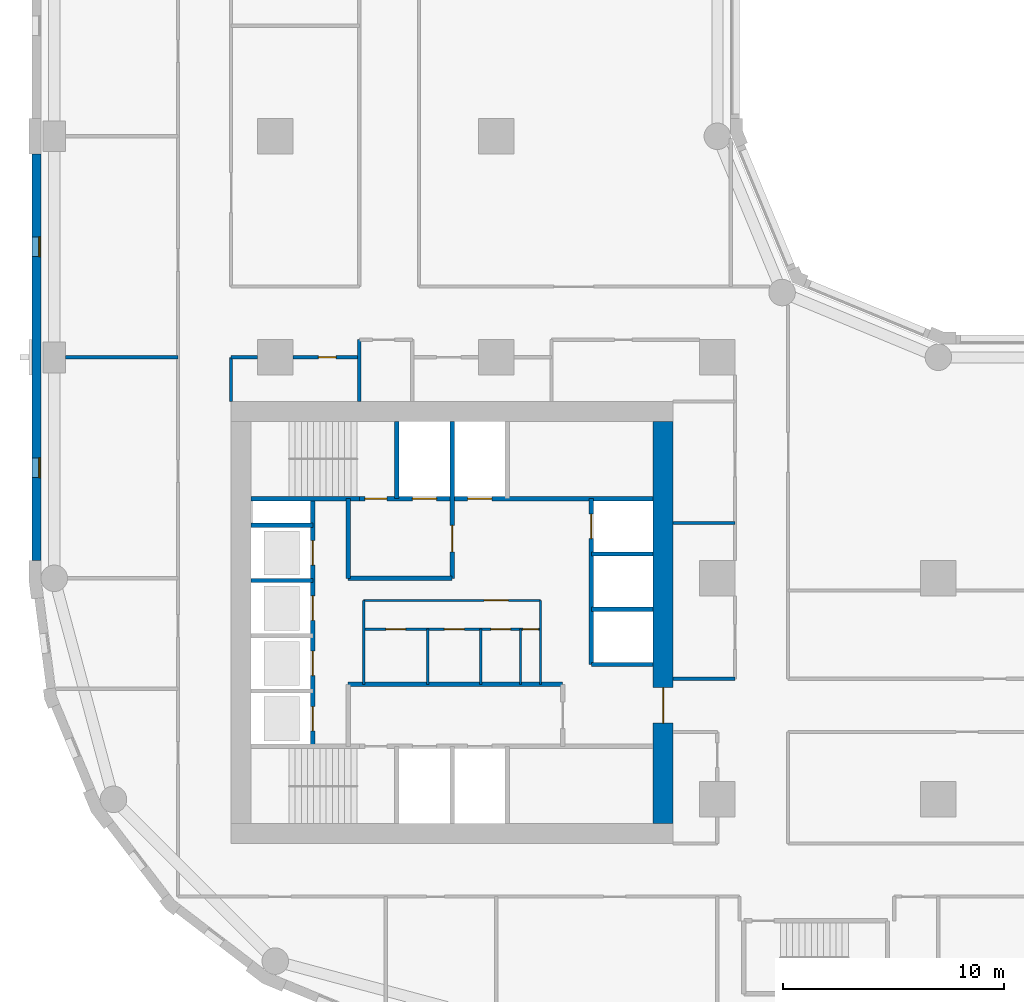
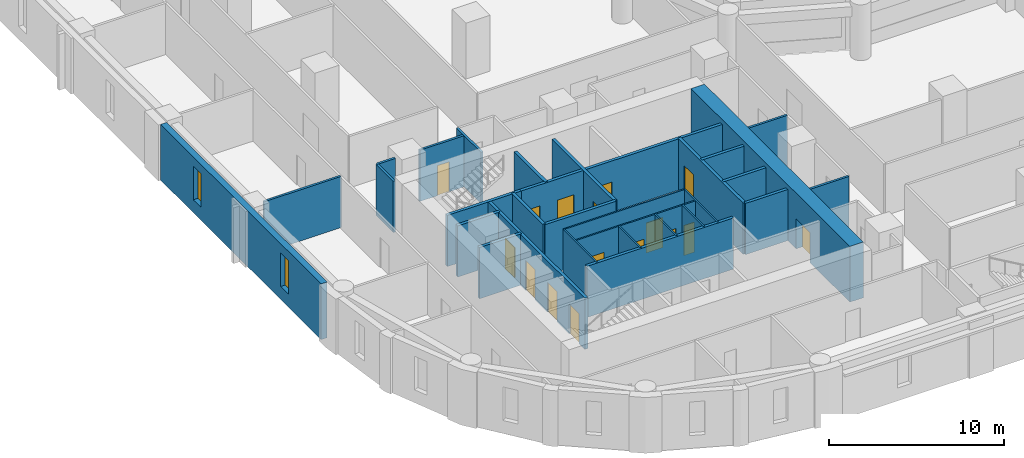
# One storey, part 3 of 11: 30 walls, 16 doors, 2 windows, 18 openings.
"""IFC4 building model written with IfcOpenShell, lengths in metres."""

import ifcopenshell
import ifcopenshell.guid

model = None  # the IFC model being written
_history = None  # IfcOwnerHistory: only IFC2X3 demands one
_inside = {}  # id of a spatial element -> (the spatial element, [elements in it])
_under = {}  # id of a project, library or spatial element -> (it, [spatial elements below it])
_declared = {}  # id of a project -> (the project, [libraries it declares])
_typed = {}  # id of a type object -> (the type object, [elements of that type])
_made_of = {}  # id of a material, layer set ... -> (it, [elements and type objects made of it])


def new_model(schema):
    """Start an empty IFC model of exactly this schema.

    Asked for "IFC4X3", IfcOpenShell would pick the latest addendum, in which some entities
    have other attributes; the version numbers below select the first issue.
    IFC2X3 requires an IfcOwnerHistory on every rooted entity: one is made here for all.
    """
    global model, _history
    if schema == "IFC4X3":
        model = ifcopenshell.file(schema_version=(4, 3, 0, 0))
    else:
        model = ifcopenshell.file(schema=schema)
    _inside.clear()
    _under.clear()
    _declared.clear()
    _typed.clear()
    _made_of.clear()
    _history = None
    if model.schema == "IFC2X3":
        org = make("IfcOrganization", Name="unknown")
        user = make(
            "IfcPersonAndOrganization",
            ThePerson=make("IfcPerson", FamilyName="unknown"),
            TheOrganization=org,
        )
        app = make(
            "IfcApplication",
            ApplicationDeveloper=org,
            Version="unknown",
            ApplicationFullName="unknown",
            ApplicationIdentifier="unknown",
        )
        _history = make(
            "IfcOwnerHistory",
            OwningUser=user,
            OwningApplication=app,
            ChangeAction="ADDED",
            CreationDate=0,
        )
    return model


def make(cls, **values):
    """One entity of the class cls with the attributes given. An attribute that is None is left unset."""
    return model.create_entity(
        cls, **{name: value for name, value in values.items() if value is not None}
    )


def rooted(cls, **values):
    """An entity with a GlobalId (a new one), such as an element, a storey or a relation."""
    return make(cls, GlobalId=ifcopenshell.guid.new(), OwnerHistory=_history, **values)


def si_unit(unit_type, name, prefix=None):
    """IfcSIUnit, for example si_unit("LENGTHUNIT", "METRE", prefix="MILLI")."""
    return make("IfcSIUnit", UnitType=unit_type, Prefix=prefix, Name=name)


def assignment(units):
    """IfcUnitAssignment: the units of a project."""
    return None if units is None else make("IfcUnitAssignment", Units=units)


def point(xyz):
    """IfcCartesianPoint."""
    return None if xyz is None else make("IfcCartesianPoint", Coordinates=xyz)


def direction(xyz):
    """IfcDirection."""
    return None if xyz is None else make("IfcDirection", DirectionRatios=xyz)


def frame(location, z_axis=None, x_axis=None):
    """IfcAxis2Placement3D, a coordinate frame: its origin and axes. An axis left out is left unset."""
    return make(
        "IfcAxis2Placement3D",
        Location=point(location),
        Axis=direction(z_axis),
        RefDirection=direction(x_axis),
    )


def frame_2d(location, x_axis=None):
    """IfcAxis2Placement2D, a coordinate frame in the plane: its origin and x axis."""
    return make(
        "IfcAxis2Placement2D", Location=point(location), RefDirection=direction(x_axis)
    )


def origin():
    """The frame at (0, 0, 0) with its axes left unset."""
    return frame((0.0, 0.0, 0.0))


def place(relative_to, where):
    """IfcLocalPlacement: puts the frame where relative to a parent placement (None: the world)."""
    return make(
        "IfcLocalPlacement", PlacementRelTo=relative_to, RelativePlacement=where
    )


def context(
    kind, dimensions, precision=None, world=None, true_north=None, identifier=None
):
    """IfcGeometricRepresentationContext, for example the 3D "Model" context."""
    return make(
        "IfcGeometricRepresentationContext",
        ContextIdentifier=identifier,
        ContextType=kind,
        CoordinateSpaceDimension=dimensions,
        Precision=precision,
        WorldCoordinateSystem=world,
        TrueNorth=true_north,
    )


def subcontext(parent, identifier, kind, view, scale=None):
    """IfcGeometricRepresentationSubContext, for example "Body" below "Model"."""
    return make(
        "IfcGeometricRepresentationSubContext",
        ContextIdentifier=identifier,
        ContextType=kind,
        ParentContext=parent,
        TargetScale=scale,
        TargetView=view,
    )


def project(units=None, contexts=None):
    """IfcProject with its units and contexts."""
    return rooted(
        "IfcProject",
        Name="project",
        RepresentationContexts=contexts,
        UnitsInContext=assignment(units),
    )


def spatial(cls, under=None, at=None, **own):
    """A site, building, storey or space (cls), placed at a placement, below another one or the project."""
    s = rooted(cls, ObjectPlacement=at, **own)
    if under is not None:
        _under.setdefault(under.id(), (under, []))[1].append(s)
    return s


def profile(cls, at=None, kind="AREA", **sizes):
    """A parametric profile (cls). Its sizes go by their IFC names, for example OverallWidth=200.0."""
    return make(cls, ProfileType=kind, Position=at, **sizes)


def rectangle(**sizes):
    """IfcRectangleProfileDef."""
    return profile("IfcRectangleProfileDef", **sizes)


def extrude(swept, where, along, depth):
    """IfcExtrudedAreaSolid: the profile swept, set in the frame where, extruded along a direction by depth."""
    return make(
        "IfcExtrudedAreaSolid",
        SweptArea=swept,
        Position=where,
        ExtrudedDirection=direction(along),
        Depth=depth,
    )


def shape(context_of_items, identifier, shape_type, items):
    """IfcShapeRepresentation: the items that make up one representation, for example the "Body"."""
    return make(
        "IfcShapeRepresentation",
        ContextOfItems=context_of_items,
        RepresentationIdentifier=identifier,
        RepresentationType=shape_type,
        Items=items,
    )


def material(Name=None, Category=None):
    """IfcMaterial."""
    return make("IfcMaterial", Name=Name, Category=Category)


def layer(
    of_material, thickness, ventilated=None, Name=None, Category=None, Priority=None
):
    """IfcMaterialLayer: one layer of a wall or slab, of a material (None: an air gap)."""
    return make(
        "IfcMaterialLayer",
        Material=of_material,
        LayerThickness=thickness,
        IsVentilated=ventilated,
        Name=Name,
        Category=Category,
        Priority=Priority,
    )


def layer_set(layers, Name=None):
    """IfcMaterialLayerSet."""
    return make("IfcMaterialLayerSet", MaterialLayers=layers, LayerSetName=Name)


def made_of(thing, what):
    """Note that an element or type object is made of a material, layer set ...; save() writes the relation."""
    if what is not None:
        _made_of.setdefault(what.id(), (what, []))[1].append(thing)
    return thing


def type_object(cls, material=None, **own):
    """A type object (cls), such as IfcWallType, which elements share."""
    return made_of(rooted(cls, **own), material)


def element(
    cls,
    number,
    at=None,
    inside=None,
    cuts=None,
    type_object=None,
    material=None,
    context=None,
    identifier="Body",
    shape_type=None,
    held_by="IfcProductDefinitionShape",
    body=None,
    shapes=None,
    **own,
):
    """One element of the class cls, such as IfcWall. Its Tag is "e" and its number.

    at: its placement. inside: the storey or other place that contains it. cuts: it is an
    opening in that element (IfcRelVoidsElement). A single representation is given by context,
    identifier, shape_type and body (its items); several are given by shapes. held_by: the class
    of the entity that holds the representations. save() writes the other relations.
    """
    e = rooted(cls, Tag="e%d" % number, ObjectPlacement=at, **own)
    if body is not None:
        shapes = [shape(context, identifier, shape_type, body)]
    if shapes is not None:
        e.Representation = make(held_by, Representations=shapes)
    if inside is not None:
        _inside.setdefault(inside.id(), (inside, []))[1].append(e)
    if cuts is not None:
        rooted(
            "IfcRelVoidsElement", RelatingBuildingElement=cuts, RelatedOpeningElement=e
        )
    if type_object is not None:
        _typed.setdefault(type_object.id(), (type_object, []))[1].append(e)
    return made_of(e, material)


def fill(opening, filler):
    """IfcRelFillsElement: the door or window that sits in an opening."""
    return rooted(
        "IfcRelFillsElement",
        RelatingOpeningElement=opening,
        RelatedBuildingElement=filler,
    )


def aggregate(whole, parts):
    """IfcRelAggregates: a whole, such as a stair, and the parts it consists of."""
    return rooted("IfcRelAggregates", RelatingObject=whole, RelatedObjects=parts)


def save(model, path):
    """Write the relations noted so far, then the file.

    IfcRelAggregates (storeys below a building ...), IfcRelContainedInSpatialStructure (elements
    in a storey), IfcRelDefinesByType, IfcRelAssociatesMaterial and IfcRelDeclares: one each for
    every whole, place, type object, material and project.
    """
    for whole, parts in _under.values():
        aggregate(whole, parts)
    for where, things in _inside.values():
        rooted(
            "IfcRelContainedInSpatialStructure",
            RelatedElements=things,
            RelatingStructure=where,
        )
    for kind, things in _typed.values():
        rooted("IfcRelDefinesByType", RelatedObjects=things, RelatingType=kind)
    for what, things in _made_of.values():
        rooted("IfcRelAssociatesMaterial", RelatedObjects=things, RelatingMaterial=what)
    for by, libraries in _declared.values():
        rooted("IfcRelDeclares", RelatingContext=by, RelatedDefinitions=libraries)
    model.write(path)


model = new_model("IFC4")

# Units and contexts
model_context = context("Model", 3, precision=1e-05, world=origin(), true_north=direction((0.0, 1.0)))
body_context = subcontext(model_context, "Body", "Model", "MODEL_VIEW")
ifc_project = project(units=[si_unit("LENGTHUNIT", "METRE"), si_unit("AREAUNIT", "SQUARE_METRE"), si_unit("VOLUMEUNIT", "CUBIC_METRE"), si_unit("PLANEANGLEUNIT", "RADIAN"), si_unit("MASSUNIT", "GRAM", prefix="KILO")], contexts=[model_context])

# Site, building, storey
site_placement = place(None, origin())
site = spatial("IfcSite", under=ifc_project, at=site_placement, CompositionType="ELEMENT")
building_placement = place(site_placement, origin())
building = spatial("IfcBuilding", under=site, at=building_placement, Name="Qaws Garden Tower", CompositionType="ELEMENT")
storey_placement = place(building_placement, frame((0.0, 0.0, 27.60009765625)))
storey = spatial("IfcBuildingStorey", under=building, at=storey_placement, Name="L06", CompositionType="ELEMENT", Elevation=27.60009765625)

# Wall, openings, windows
ifc_material_1 = material(Name="Clay facing brick masonry", Category="masonry")
ifc_layer_1 = layer(ifc_material_1, 0.39990234375)
ifc_layer_set_1 = layer_set([ifc_layer_1], Name="Clay facing brick masonry")
wall_type_1 = type_object("IfcWallType", Name="Brick infill wall 400", PredefinedType="SOLIDWALL", material=ifc_layer_set_1)
wall_1_placement = place(storey_placement, frame((-0.800048828125, 39.199951171875, 0.0), z_axis=(0.0, 0.0, 1.0), x_axis=(0.0, -1.0, 0.0)))
wall_1 = element("IfcWall", 1, at=wall_1_placement, inside=storey, type_object=wall_type_1, Name="E-L06-infill-25", PredefinedType="SOLIDWALL", context=body_context, shape_type="SweptSolid", body=[
    extrude(rectangle(XDim=18.39990234375, YDim=0.39990234375, at=frame_2d((9.199951171875, 0.0))), origin(), (0.0, 0.0, 1.0), 3.89990234375),
])
opening_1_placement = place(wall_1_placement, frame((3.75, 0.0, 0.89990234375)))
opening_1 = element("IfcOpeningElement", 2, at=opening_1_placement, cuts=wall_1, Name="Opening W09", PredefinedType="OPENING", context=body_context, shape_type="SweptSolid", body=[
    extrude(rectangle(XDim=0.89990234375, YDim=2.35009765625, at=frame_2d((0.449951171875, 1.175048828125))), frame((0.0, 0.2099609375, 0.0), z_axis=(0.0, -1.0, 0.0), x_axis=(1.0, 0.0, 0.0)), (0.0, 0.0, 1.0), 0.419921875),
])
opening_2_placement = place(wall_1_placement, frame((13.75, 0.0, 0.89990234375)))
opening_2 = element("IfcOpeningElement", 3, at=opening_2_placement, cuts=wall_1, Name="Opening W09", PredefinedType="OPENING", context=body_context, shape_type="SweptSolid", body=[
    extrude(rectangle(XDim=0.89990234375, YDim=2.35009765625, at=frame_2d((0.449951171875, 1.175048828125))), frame((0.0, 0.2099609375, 0.0), z_axis=(0.0, -1.0, 0.0), x_axis=(1.0, 0.0, 0.0)), (0.0, 0.0, 1.0), 0.419921875),
])
ifc_material_2 = material(Name="Aluminium framed window, clear glazing", Category="aluminium")
window_type = type_object("IfcWindowType", Name="Slit window 900 x 2350", PartitioningType="SINGLE_PANEL", PredefinedType="WINDOW", material=ifc_material_2)
window_1_placement = place(opening_1_placement, origin())
window_1 = element("IfcWindow", 4, at=window_1_placement, inside=storey, type_object=window_type, Name="E-L06-window-25-0", OverallHeight=2.35009765625, OverallWidth=0.89990234375, PartitioningType="SINGLE_PANEL", PredefinedType="WINDOW", context=body_context, shape_type="SweptSolid", body=[
    extrude(rectangle(XDim=0.89990234375, YDim=2.35009765625, at=frame_2d((0.449951171875, 1.175048828125))), frame((0.0, 0.159912109375, 0.0), z_axis=(0.0, -1.0, 0.0), x_axis=(1.0, 0.0, 0.0)), (0.0, 0.0, 1.0), 0.06005859375),
])
fill(opening_1, window_1)
window_2_placement = place(opening_2_placement, origin())
window_2 = element("IfcWindow", 5, at=window_2_placement, inside=storey, type_object=window_type, Name="E-L06-window-26-0", OverallHeight=2.35009765625, OverallWidth=0.89990234375, PartitioningType="SINGLE_PANEL", PredefinedType="WINDOW", context=body_context, shape_type="SweptSolid", body=[
    extrude(rectangle(XDim=0.89990234375, YDim=2.35009765625, at=frame_2d((0.449951171875, 1.175048828125))), frame((0.0, 0.159912109375, 0.0), z_axis=(0.0, -1.0, 0.0), x_axis=(1.0, 0.0, 0.0)), (0.0, 0.0, 1.0), 0.06005859375),
])
fill(opening_2, window_2)

# Wall, openings, doors
ifc_material_3 = material(Name="Plasterboard")
ifc_layer_2 = layer(ifc_material_3, 0.10009765625)
ifc_layer_set_2 = layer_set([ifc_layer_2], Name="Plasterboard")
wall_type_2 = type_object("IfcWallType", Name="Core partition 100", PredefinedType="PARTITIONING", material=ifc_layer_set_2)
wall_2_placement = place(storey_placement, frame((14.0, 17.699951171875, 0.0), z_axis=(0.0, 0.0, 1.0), x_axis=(1.0, 0.0, 0.0)))
wall_2 = element("IfcWall", 6, at=wall_2_placement, inside=storey, type_object=wall_type_2, Name="Core partition", PredefinedType="PARTITIONING", context=body_context, shape_type="SweptSolid", body=[
    extrude(rectangle(XDim=8.0, YDim=0.10009765625, at=frame_2d((4.0, 0.0))), origin(), (0.0, 0.0, 1.0), 3.579833984375),
])
opening_3_placement = place(wall_2_placement, frame((1.0, 0.0, 0.0)))
opening_3 = element("IfcOpeningElement", 7, at=opening_3_placement, cuts=wall_2, Name="Opening WD18", PredefinedType="OPENING", context=body_context, shape_type="SweptSolid", body=[
    extrude(rectangle(XDim=0.89990234375, YDim=2.10009765625, at=frame_2d((0.449951171875, 1.050048828125))), frame((0.0, 0.06005859375, 0.0), z_axis=(0.0, -1.0, 0.0), x_axis=(1.0, 0.0, 0.0)), (0.0, 0.0, 1.0), 0.1201171875),
])
opening_4_placement = place(wall_2_placement, frame((3.64990234375, 0.0, 0.0)))
opening_4 = element("IfcOpeningElement", 8, at=opening_4_placement, cuts=wall_2, Name="Opening WD19", PredefinedType="OPENING", context=body_context, shape_type="SweptSolid", body=[
    extrude(rectangle(XDim=0.89990234375, YDim=2.10009765625, at=frame_2d((0.449951171875, 1.050048828125))), frame((0.0, 0.06005859375, 0.0), z_axis=(0.0, -1.0, 0.0), x_axis=(1.0, 0.0, 0.0)), (0.0, 0.0, 1.0), 0.1201171875),
])
opening_5_placement = place(wall_2_placement, frame((5.75, 0.0, 0.0)))
opening_5 = element("IfcOpeningElement", 9, at=opening_5_placement, cuts=wall_2, Name="Opening WD20", PredefinedType="OPENING", context=body_context, shape_type="SweptSolid", body=[
    extrude(rectangle(XDim=0.89990234375, YDim=2.10009765625, at=frame_2d((0.449951171875, 1.050048828125))), frame((0.0, 0.06005859375, 0.0), z_axis=(0.0, -1.0, 0.0), x_axis=(1.0, 0.0, 0.0)), (0.0, 0.0, 1.0), 0.1201171875),
])
opening_6_placement = place(wall_2_placement, frame((7.199951171875, 0.0, 0.0)))
opening_6 = element("IfcOpeningElement", 10, at=opening_6_placement, cuts=wall_2, Name="Opening XD21", PredefinedType="OPENING", context=body_context, shape_type="SweptSolid", body=[
    extrude(rectangle(XDim=0.699951171875, YDim=2.10009765625, at=frame_2d((0.35009765625, 1.050048828125))), frame((0.0, 0.06005859375, 0.0), z_axis=(0.0, -1.0, 0.0), x_axis=(1.0, 0.0, 0.0)), (0.0, 0.0, 1.0), 0.1201171875),
])
ifc_material_4 = material(Name="Timber", Category="wood")
door_type_1 = type_object("IfcDoorType", Name="Store door 700x2100", OperationType="SINGLE_SWING_LEFT", PredefinedType="DOOR", material=ifc_material_4)
door_1_placement = place(opening_6_placement, frame((0.699951171875, 0.0, 0.0), z_axis=(0.0, 0.0, 1.0), x_axis=(-1.0, 0.0, 0.0)))
door_1 = element("IfcDoor", 11, at=door_1_placement, inside=storey, type_object=door_type_1, Name="Cleaner's store door", OperationType="SINGLE_SWING_LEFT", OverallHeight=2.10009765625, OverallWidth=0.699951171875, PredefinedType="DOOR", context=body_context, shape_type="SweptSolid", body=[
    extrude(rectangle(XDim=0.699951171875, YDim=2.10009765625, at=frame_2d((0.35009765625, 1.050048828125))), frame((0.0, 0.02490234375, 0.0), z_axis=(0.0, -1.0, 0.0), x_axis=(1.0, 0.0, 0.0)), (0.0, 0.0, 1.0), 0.050048828125),
])
fill(opening_6, door_1)
ifc_material_5 = material(Name="Timber", Category="wood")
door_type_2 = type_object("IfcDoorType", Name="WC door 900x2100", OperationType="SINGLE_SWING_LEFT", PredefinedType="DOOR", material=ifc_material_5)
door_2_placement = place(opening_3_placement, frame((0.89990234375, 0.0, 0.0), z_axis=(0.0, 0.0, 1.0), x_axis=(-1.0, 0.0, 0.0)))
door_2 = element("IfcDoor", 12, at=door_2_placement, inside=storey, type_object=door_type_2, Name="Women's WC door", OperationType="SINGLE_SWING_LEFT", OverallHeight=2.10009765625, OverallWidth=0.89990234375, PredefinedType="DOOR", context=body_context, shape_type="SweptSolid", body=[
    extrude(rectangle(XDim=0.89990234375, YDim=2.10009765625, at=frame_2d((0.449951171875, 1.050048828125))), frame((0.0, 0.02490234375, 0.0), z_axis=(0.0, -1.0, 0.0), x_axis=(1.0, 0.0, 0.0)), (0.0, 0.0, 1.0), 0.050048828125),
])
fill(opening_3, door_2)
door_3_placement = place(opening_4_placement, frame((0.89990234375, 0.0, 0.0), z_axis=(0.0, 0.0, 1.0), x_axis=(-1.0, 0.0, 0.0)))
door_3 = element("IfcDoor", 13, at=door_3_placement, inside=storey, type_object=door_type_2, Name="Men's WC door", OperationType="SINGLE_SWING_LEFT", OverallHeight=2.10009765625, OverallWidth=0.89990234375, PredefinedType="DOOR", context=body_context, shape_type="SweptSolid", body=[
    extrude(rectangle(XDim=0.89990234375, YDim=2.10009765625, at=frame_2d((0.449951171875, 1.050048828125))), frame((0.0, 0.02490234375, 0.0), z_axis=(0.0, -1.0, 0.0), x_axis=(1.0, 0.0, 0.0)), (0.0, 0.0, 1.0), 0.050048828125),
])
fill(opening_4, door_3)
door_4_placement = place(opening_5_placement, frame((0.89990234375, 0.0, 0.0), z_axis=(0.0, 0.0, 1.0), x_axis=(-1.0, 0.0, 0.0)))
door_4 = element("IfcDoor", 14, at=door_4_placement, inside=storey, type_object=door_type_2, Name="Accessible WC door", OperationType="SINGLE_SWING_LEFT", OverallHeight=2.10009765625, OverallWidth=0.89990234375, PredefinedType="DOOR", context=body_context, shape_type="SweptSolid", body=[
    extrude(rectangle(XDim=0.89990234375, YDim=2.10009765625, at=frame_2d((0.449951171875, 1.050048828125))), frame((0.0, 0.02490234375, 0.0), z_axis=(0.0, -1.0, 0.0), x_axis=(1.0, 0.0, 0.0)), (0.0, 0.0, 1.0), 0.050048828125),
])
fill(opening_5, door_4)

# Wall, opening, door
wall_3_placement = place(storey_placement, frame((14.0, 19.0, 0.0), z_axis=(0.0, 0.0, 1.0), x_axis=(1.0, 0.0, 0.0)))
wall_3 = element("IfcWall", 15, at=wall_3_placement, inside=storey, type_object=wall_type_2, Name="Core partition", PredefinedType="PARTITIONING", context=body_context, shape_type="SweptSolid", body=[
    extrude(rectangle(XDim=8.0, YDim=0.10009765625, at=frame_2d((4.0, 0.0))), origin(), (0.0, 0.0, 1.0), 3.579833984375),
])
opening_7_placement = place(wall_3_placement, frame((5.449951171875, 0.0, 0.0)))
opening_7 = element("IfcOpeningElement", 16, at=opening_7_placement, cuts=wall_3, Name="Opening WL17", PredefinedType="OPENING", context=body_context, shape_type="SweptSolid", body=[
    extrude(rectangle(XDim=1.10009765625, YDim=2.10009765625, at=frame_2d((0.550048828125, 1.050048828125))), frame((0.0, 0.06005859375, 0.0), z_axis=(0.0, -1.0, 0.0), x_axis=(1.0, 0.0, 0.0)), (0.0, 0.0, 1.0), 0.1201171875),
])
ifc_material_6 = material(Name="Timber", Category="wood")
door_type_3 = type_object("IfcDoorType", Name="WC lobby door 1100x2100", OperationType="SINGLE_SWING_LEFT", PredefinedType="DOOR", material=ifc_material_6)
door_5_placement = place(opening_7_placement, frame((1.10009765625, 0.0, 0.0), z_axis=(0.0, 0.0, 1.0), x_axis=(-1.0, 0.0, 0.0)))
door_5 = element("IfcDoor", 17, at=door_5_placement, inside=storey, type_object=door_type_3, Name="WC lobby door", OperationType="SINGLE_SWING_LEFT", OverallHeight=2.10009765625, OverallWidth=1.10009765625, PredefinedType="DOOR", context=body_context, shape_type="SweptSolid", body=[
    extrude(rectangle(XDim=1.10009765625, YDim=2.10009765625, at=frame_2d((0.550048828125, 1.050048828125))), frame((0.0, 0.02490234375, 0.0), z_axis=(0.0, -1.0, 0.0), x_axis=(1.0, 0.0, 0.0)), (0.0, 0.0, 1.0), 0.050048828125),
])
fill(opening_7, door_5)

# Walls
wall_4_placement = place(storey_placement, frame((14.0, 15.199951171875, 0.0), z_axis=(0.0, 0.0, 1.0), x_axis=(0.0, 1.0, 0.0)))
element("IfcWall", 18, at=wall_4_placement, inside=storey, type_object=wall_type_2, Name="Core partition", PredefinedType="PARTITIONING", context=body_context, shape_type="SweptSolid", body=[
    extrude(rectangle(XDim=3.800048828125, YDim=0.10009765625, at=frame_2d((1.89990234375, 0.0))), origin(), (0.0, 0.0, 1.0), 3.579833984375),
])
for number, where, z_axis, x_axis, name in (
    (19, (16.89990234375, 15.199951171875, 0.0), (0.0, 0.0, 1.0), (0.0, 1.0, 0.0), "Core partition"),
    (20, (19.300048828125, 15.199951171875, 0.0), (0.0, 0.0, 1.0), (0.0, 1.0, 0.0), "Core partition"),
    (21, (21.10009765625, 15.199951171875, 0.0), (0.0, 0.0, 1.0), (0.0, 1.0, 0.0), "Core partition"),
):
    element("IfcWall", number, at=place(storey_placement, frame(where, z_axis=z_axis, x_axis=x_axis)), inside=storey, type_object=wall_type_2, Name=name, PredefinedType="PARTITIONING", context=body_context, shape_type="SweptSolid", body=[
        extrude(rectangle(XDim=2.5, YDim=0.10009765625, at=frame_2d((1.25, 0.0))), origin(), (0.0, 0.0, 1.0), 3.579833984375),
    ])
wall_5_placement = place(storey_placement, frame((22.0, 15.199951171875, 0.0), z_axis=(0.0, 0.0, 1.0), x_axis=(0.0, 1.0, 0.0)))
element("IfcWall", 22, at=wall_5_placement, inside=storey, type_object=wall_type_2, Name="Core partition", PredefinedType="PARTITIONING", context=body_context, shape_type="SweptSolid", body=[
    extrude(rectangle(XDim=3.800048828125, YDim=0.10009765625, at=frame_2d((1.89990234375, 0.0))), origin(), (0.0, 0.0, 1.0), 3.579833984375),
])
ifc_material_7 = material(Name="Concrete C80", Category="concrete")
ifc_layer_3 = layer(ifc_material_7, 0.199951171875)
ifc_layer_set_3 = layer_set([ifc_layer_3], Name="Concrete C80")
wall_type_3 = type_object("IfcWallType", Name="Core shaft wall 200 C80", PredefinedType="SHEAR", material=ifc_layer_set_3)
wall_6_placement = place(storey_placement, frame((13.300048828125, 15.199951171875, 0.0), z_axis=(0.0, 0.0, 1.0), x_axis=(1.0, 0.0, 0.0)))
element("IfcWall", 23, at=wall_6_placement, inside=storey, type_object=wall_type_3, Name="Shaft wall", PredefinedType="SHEAR", context=body_context, shape_type="SweptSolid", body=[
    extrude(rectangle(XDim=9.699951171875, YDim=0.199951171875, at=frame_2d((4.85009765625, 0.0))), origin(), (0.0, 0.0, 1.0), 3.579833984375),
])
for number, where, z_axis, x_axis, name in (
    (24, (24.300048828125, 16.10009765625, 0.0), (0.0, 0.0, 1.0), (1.0, 0.0, 0.0), "Shaft wall"),
    (25, (24.300048828125, 18.60009765625, 0.0), (0.0, 0.0, 1.0), (1.0, 0.0, 0.0), "Shaft wall"),
    (26, (8.89990234375, 19.89990234375, 0.0), (0.0, 0.0, 1.0), (1.0, 0.0, 0.0), "Shaft wall"),
):
    element("IfcWall", number, at=place(storey_placement, frame(where, z_axis=z_axis, x_axis=x_axis)), inside=storey, type_object=wall_type_3, Name=name, PredefinedType="SHEAR", context=body_context, shape_type="SweptSolid", body=[
        extrude(rectangle(XDim=2.800048828125, YDim=0.199951171875, at=frame_2d((1.39990234375, 0.0))), origin(), (0.0, 0.0, 1.0), 3.579833984375),
    ])
wall_7_placement = place(storey_placement, frame((13.300048828125, 20.0, 0.0), z_axis=(0.0, 0.0, 1.0), x_axis=(1.0, 0.0, 0.0)))
element("IfcWall", 27, at=wall_7_placement, inside=storey, type_object=wall_type_3, Name="Shaft wall", PredefinedType="SHEAR", context=body_context, shape_type="SweptSolid", body=[
    extrude(rectangle(XDim=4.699951171875, YDim=0.199951171875, at=frame_2d((2.35009765625, 0.0))), origin(), (0.0, 0.0, 1.0), 3.579833984375),
])
for number, where, z_axis, x_axis, name in (
    (28, (24.300048828125, 21.10009765625, 0.0), (0.0, 0.0, 1.0), (1.0, 0.0, 0.0), "Shaft wall"),
    (29, (8.89990234375, 22.39990234375, 0.0), (0.0, 0.0, 1.0), (1.0, 0.0, 0.0), "Shaft wall"),
):
    element("IfcWall", number, at=place(storey_placement, frame(where, z_axis=z_axis, x_axis=x_axis)), inside=storey, type_object=wall_type_3, Name=name, PredefinedType="SHEAR", context=body_context, shape_type="SweptSolid", body=[
        extrude(rectangle(XDim=2.800048828125, YDim=0.199951171875, at=frame_2d((1.39990234375, 0.0))), origin(), (0.0, 0.0, 1.0), 3.579833984375),
    ])
wall_8_placement = place(storey_placement, frame((8.89990234375, 23.60009765625, 0.0), z_axis=(0.0, 0.0, 1.0), x_axis=(1.0, 0.0, 0.0)))
element("IfcWall", 30, at=wall_8_placement, inside=storey, type_object=wall_type_3, Name="Shaft wall", PredefinedType="SHEAR", context=body_context, shape_type="SweptSolid", body=[
    extrude(rectangle(XDim=4.900146484375, YDim=0.199951171875, at=frame_2d((2.4501953125, 0.0))), origin(), (0.0, 0.0, 1.0), 3.579833984375),
])

# Wall, openings, doors
wall_9_placement = place(storey_placement, frame((13.800048828125, 23.60009765625, 0.0), z_axis=(0.0, 0.0, 1.0), x_axis=(1.0, 0.0, 0.0)))
wall_9 = element("IfcWall", 31, at=wall_9_placement, inside=storey, type_object=wall_type_3, Name="Shaft wall", PredefinedType="SHEAR", context=body_context, shape_type="SweptSolid", body=[
    extrude(rectangle(XDim=13.300048828125, YDim=0.199951171875, at=frame_2d((6.64990234375, 0.0))), origin(), (0.0, 0.0, 1.0), 3.579833984375),
])
opening_8_placement = place(wall_9_placement, frame((2.39990234375, 0.0, 0.0)))
opening_8 = element("IfcOpeningElement", 32, at=opening_8_placement, cuts=wall_9, Name="Opening LD08", PredefinedType="OPENING", context=body_context, shape_type="SweptSolid", body=[
    extrude(rectangle(XDim=1.10009765625, YDim=2.10009765625, at=frame_2d((0.550048828125, 1.050048828125))), frame((0.0, 0.10986328125, 0.0), z_axis=(0.0, -1.0, 0.0), x_axis=(1.0, 0.0, 0.0)), (0.0, 0.0, 1.0), 0.219970703125),
])
opening_9_placement = place(wall_9_placement, frame((4.89990234375, 0.0, 0.0)))
opening_9 = element("IfcOpeningElement", 33, at=opening_9_placement, cuts=wall_9, Name="Opening LD09", PredefinedType="OPENING", context=body_context, shape_type="SweptSolid", body=[
    extrude(rectangle(XDim=1.10009765625, YDim=2.10009765625, at=frame_2d((0.550048828125, 1.050048828125))), frame((0.0, 0.10986328125, 0.0), z_axis=(0.0, -1.0, 0.0), x_axis=(1.0, 0.0, 0.0)), (0.0, 0.0, 1.0), 0.219970703125),
])
opening_10_placement = place(wall_9_placement, frame((0.25, 0.0, 0.0)))
opening_10 = element("IfcOpeningElement", 34, at=opening_10_placement, cuts=wall_9, Name="Opening SD11", PredefinedType="OPENING", context=body_context, shape_type="SweptSolid", body=[
    extrude(rectangle(XDim=1.0, YDim=2.10009765625, at=frame_2d((0.5, 1.050048828125))), frame((0.0, 0.10986328125, 0.0), z_axis=(0.0, -1.0, 0.0), x_axis=(1.0, 0.0, 0.0)), (0.0, 0.0, 1.0), 0.219970703125),
])
ifc_material_8 = material(Name="Steel S235", Category="steel")
door_type_4 = type_object("IfcDoorType", Name="Landing door 1100x2100", OperationType="DOUBLE_DOOR_SLIDING", PredefinedType="DOOR", material=ifc_material_8)
door_6_placement = place(opening_8_placement, origin())
door_6 = element("IfcDoor", 35, at=door_6_placement, inside=storey, type_object=door_type_4, Name="Lift FF3 landing door", OperationType="DOUBLE_DOOR_SLIDING", OverallHeight=2.10009765625, OverallWidth=1.10009765625, PredefinedType="DOOR", context=body_context, shape_type="SweptSolid", body=[
    extrude(rectangle(XDim=1.10009765625, YDim=2.10009765625, at=frame_2d((0.550048828125, 1.050048828125))), frame((0.0, 0.02490234375, 0.0), z_axis=(0.0, -1.0, 0.0), x_axis=(1.0, 0.0, 0.0)), (0.0, 0.0, 1.0), 0.050048828125),
])
fill(opening_8, door_6)
door_7_placement = place(opening_9_placement, origin())
door_7 = element("IfcDoor", 36, at=door_7_placement, inside=storey, type_object=door_type_4, Name="Lift SV2 landing door", OperationType="DOUBLE_DOOR_SLIDING", OverallHeight=2.10009765625, OverallWidth=1.10009765625, PredefinedType="DOOR", context=body_context, shape_type="SweptSolid", body=[
    extrude(rectangle(XDim=1.10009765625, YDim=2.10009765625, at=frame_2d((0.550048828125, 1.050048828125))), frame((0.0, 0.02490234375, 0.0), z_axis=(0.0, -1.0, 0.0), x_axis=(1.0, 0.0, 0.0)), (0.0, 0.0, 1.0), 0.050048828125),
])
fill(opening_9, door_7)
ifc_material_9 = material(Name="Steel S235", Category="steel")
door_type_5 = type_object("IfcDoorType", Name="Stair door 1000x2100", OperationType="SINGLE_SWING_RIGHT", PredefinedType="DOOR", material=ifc_material_9)
door_8_placement = place(opening_10_placement, origin())
door_8 = element("IfcDoor", 37, at=door_8_placement, inside=storey, type_object=door_type_5, Name="Stair 4 door", OperationType="SINGLE_SWING_RIGHT", OverallHeight=2.10009765625, OverallWidth=1.0, PredefinedType="DOOR", context=body_context, shape_type="SweptSolid", body=[
    extrude(rectangle(XDim=1.0, YDim=2.10009765625, at=frame_2d((0.5, 1.050048828125))), frame((0.0, 0.02490234375, 0.0), z_axis=(0.0, -1.0, 0.0), x_axis=(1.0, 0.0, 0.0)), (0.0, 0.0, 1.0), 0.050048828125),
])
fill(opening_10, door_8)

wall_10_placement = place(storey_placement, frame((11.699951171875, 12.39990234375, 0.0), z_axis=(0.0, 0.0, 1.0), x_axis=(0.0, 1.0, 0.0)))
wall_10 = element("IfcWall", 38, at=wall_10_placement, inside=storey, type_object=wall_type_3, Name="Shaft wall", PredefinedType="SHEAR", context=body_context, shape_type="SweptSolid", body=[
    extrude(rectangle(XDim=11.2001953125, YDim=0.199951171875, at=frame_2d((5.60009765625, 0.0))), origin(), (0.0, 0.0, 1.0), 3.579833984375),
])
opening_11_placement = place(wall_10_placement, frame((0.699951171875, 0.0, 0.0)))
opening_11 = element("IfcOpeningElement", 39, at=opening_11_placement, cuts=wall_10, Name="Opening LD01", PredefinedType="OPENING", context=body_context, shape_type="SweptSolid", body=[
    extrude(rectangle(XDim=1.10009765625, YDim=2.10009765625, at=frame_2d((0.550048828125, 1.050048828125))), frame((0.0, 0.10986328125, 0.0), z_axis=(0.0, -1.0, 0.0), x_axis=(1.0, 0.0, 0.0)), (0.0, 0.0, 1.0), 0.219970703125),
])
opening_12_placement = place(wall_10_placement, frame((3.199951171875, 0.0, 0.0)))
opening_12 = element("IfcOpeningElement", 40, at=opening_12_placement, cuts=wall_10, Name="Opening LD02", PredefinedType="OPENING", context=body_context, shape_type="SweptSolid", body=[
    extrude(rectangle(XDim=1.10009765625, YDim=2.10009765625, at=frame_2d((0.550048828125, 1.050048828125))), frame((0.0, 0.10986328125, 0.0), z_axis=(0.0, -1.0, 0.0), x_axis=(1.0, 0.0, 0.0)), (0.0, 0.0, 1.0), 0.219970703125),
])
opening_13_placement = place(wall_10_placement, frame((5.699951171875, 0.0, 0.0)))
opening_13 = element("IfcOpeningElement", 41, at=opening_13_placement, cuts=wall_10, Name="Opening LD03", PredefinedType="OPENING", context=body_context, shape_type="SweptSolid", body=[
    extrude(rectangle(XDim=1.10009765625, YDim=2.10009765625, at=frame_2d((0.550048828125, 1.050048828125))), frame((0.0, 0.10986328125, 0.0), z_axis=(0.0, -1.0, 0.0), x_axis=(1.0, 0.0, 0.0)), (0.0, 0.0, 1.0), 0.219970703125),
])
opening_14_placement = place(wall_10_placement, frame((8.199951171875, 0.0, 0.0)))
opening_14 = element("IfcOpeningElement", 42, at=opening_14_placement, cuts=wall_10, Name="Opening LD04", PredefinedType="OPENING", context=body_context, shape_type="SweptSolid", body=[
    extrude(rectangle(XDim=1.10009765625, YDim=2.10009765625, at=frame_2d((0.550048828125, 1.050048828125))), frame((0.0, 0.10986328125, 0.0), z_axis=(0.0, -1.0, 0.0), x_axis=(1.0, 0.0, 0.0)), (0.0, 0.0, 1.0), 0.219970703125),
])
door_9_placement = place(opening_11_placement, origin())
door_9 = element("IfcDoor", 43, at=door_9_placement, inside=storey, type_object=door_type_4, Name="Lift W1 landing door", OperationType="DOUBLE_DOOR_SLIDING", OverallHeight=2.10009765625, OverallWidth=1.10009765625, PredefinedType="DOOR", context=body_context, shape_type="SweptSolid", body=[
    extrude(rectangle(XDim=1.10009765625, YDim=2.10009765625, at=frame_2d((0.550048828125, 1.050048828125))), frame((0.0, 0.02490234375, 0.0), z_axis=(0.0, -1.0, 0.0), x_axis=(1.0, 0.0, 0.0)), (0.0, 0.0, 1.0), 0.050048828125),
])
fill(opening_11, door_9)
door_10_placement = place(opening_12_placement, origin())
door_10 = element("IfcDoor", 44, at=door_10_placement, inside=storey, type_object=door_type_4, Name="Lift W2 landing door", OperationType="DOUBLE_DOOR_SLIDING", OverallHeight=2.10009765625, OverallWidth=1.10009765625, PredefinedType="DOOR", context=body_context, shape_type="SweptSolid", body=[
    extrude(rectangle(XDim=1.10009765625, YDim=2.10009765625, at=frame_2d((0.550048828125, 1.050048828125))), frame((0.0, 0.02490234375, 0.0), z_axis=(0.0, -1.0, 0.0), x_axis=(1.0, 0.0, 0.0)), (0.0, 0.0, 1.0), 0.050048828125),
])
fill(opening_12, door_10)
door_11_placement = place(opening_13_placement, origin())
door_11 = element("IfcDoor", 45, at=door_11_placement, inside=storey, type_object=door_type_4, Name="Lift W3 landing door", OperationType="DOUBLE_DOOR_SLIDING", OverallHeight=2.10009765625, OverallWidth=1.10009765625, PredefinedType="DOOR", context=body_context, shape_type="SweptSolid", body=[
    extrude(rectangle(XDim=1.10009765625, YDim=2.10009765625, at=frame_2d((0.550048828125, 1.050048828125))), frame((0.0, 0.02490234375, 0.0), z_axis=(0.0, -1.0, 0.0), x_axis=(1.0, 0.0, 0.0)), (0.0, 0.0, 1.0), 0.050048828125),
])
fill(opening_13, door_11)
door_12_placement = place(opening_14_placement, origin())
door_12 = element("IfcDoor", 46, at=door_12_placement, inside=storey, type_object=door_type_4, Name="Lift W4 landing door", OperationType="DOUBLE_DOOR_SLIDING", OverallHeight=2.10009765625, OverallWidth=1.10009765625, PredefinedType="DOOR", context=body_context, shape_type="SweptSolid", body=[
    extrude(rectangle(XDim=1.10009765625, YDim=2.10009765625, at=frame_2d((0.550048828125, 1.050048828125))), frame((0.0, 0.02490234375, 0.0), z_axis=(0.0, -1.0, 0.0), x_axis=(1.0, 0.0, 0.0)), (0.0, 0.0, 1.0), 0.050048828125),
])
fill(opening_14, door_12)

# Walls
wall_11_placement = place(storey_placement, frame((13.300048828125, 20.0, 0.0), z_axis=(0.0, 0.0, 1.0), x_axis=(0.0, 1.0, 0.0)))
element("IfcWall", 47, at=wall_11_placement, inside=storey, type_object=wall_type_3, Name="Shaft wall", PredefinedType="SHEAR", context=body_context, shape_type="SweptSolid", body=[
    extrude(rectangle(XDim=3.60009765625, YDim=0.199951171875, at=frame_2d((1.800048828125, 0.0))), origin(), (0.0, 0.0, 1.0), 3.579833984375),
])
wall_12_placement = place(storey_placement, frame((15.5, 23.60009765625, 0.0), z_axis=(0.0, 0.0, 1.0), x_axis=(0.0, 1.0, 0.0)))
element("IfcWall", 48, at=wall_12_placement, inside=storey, type_object=wall_type_3, Name="Shaft wall", PredefinedType="SHEAR", context=body_context, shape_type="SweptSolid", body=[
    extrude(rectangle(XDim=3.5, YDim=0.199951171875, at=frame_2d((1.75, 0.0))), origin(), (0.0, 0.0, 1.0), 3.579833984375),
])

# Wall, opening, door
wall_13_placement = place(storey_placement, frame((18.0, 20.0, 0.0), z_axis=(0.0, 0.0, 1.0), x_axis=(0.0, 1.0, 0.0)))
wall_13 = element("IfcWall", 49, at=wall_13_placement, inside=storey, type_object=wall_type_3, Name="Shaft wall", PredefinedType="SHEAR", context=body_context, shape_type="SweptSolid", body=[
    extrude(rectangle(XDim=7.10009765625, YDim=0.199951171875, at=frame_2d((3.550048828125, 0.0))), origin(), (0.0, 0.0, 1.0), 3.579833984375),
])
opening_15_placement = place(wall_13_placement, frame((1.199951171875, 0.0, 0.0)))
opening_15 = element("IfcOpeningElement", 50, at=opening_15_placement, cuts=wall_13, Name="Opening FD16", PredefinedType="OPENING", context=body_context, shape_type="SweptSolid", body=[
    extrude(rectangle(XDim=1.199951171875, YDim=2.10009765625, at=frame_2d((0.60009765625, 1.050048828125))), frame((0.0, 0.10986328125, 0.0), z_axis=(0.0, -1.0, 0.0), x_axis=(1.0, 0.0, 0.0)), (0.0, 0.0, 1.0), 0.219970703125),
])
ifc_material_10 = material(Name="Steel S235", Category="steel")
door_type_6 = type_object("IfcDoorType", Name="Lobby door 1200x2100", OperationType="DOUBLE_DOOR_SINGLE_SWING", PredefinedType="DOOR", material=ifc_material_10)
door_13_placement = place(opening_15_placement, origin())
door_13 = element("IfcDoor", 51, at=door_13_placement, inside=storey, type_object=door_type_6, Name="Fire-fighting lobby door", OperationType="DOUBLE_DOOR_SINGLE_SWING", OverallHeight=2.10009765625, OverallWidth=1.199951171875, PredefinedType="DOOR", context=body_context, shape_type="SweptSolid", body=[
    extrude(rectangle(XDim=1.199951171875, YDim=2.10009765625, at=frame_2d((0.60009765625, 1.050048828125))), frame((0.0, 0.02490234375, 0.0), z_axis=(0.0, -1.0, 0.0), x_axis=(1.0, 0.0, 0.0)), (0.0, 0.0, 1.0), 0.050048828125),
])
fill(opening_15, door_13)

wall_14_placement = place(storey_placement, frame((24.300048828125, 16.10009765625, 0.0), z_axis=(0.0, 0.0, 1.0), x_axis=(0.0, 1.0, 0.0)))
wall_14 = element("IfcWall", 52, at=wall_14_placement, inside=storey, type_object=wall_type_3, Name="Shaft wall", PredefinedType="SHEAR", context=body_context, shape_type="SweptSolid", body=[
    extrude(rectangle(XDim=7.5, YDim=0.199951171875, at=frame_2d((3.75, 0.0))), origin(), (0.0, 0.0, 1.0), 3.579833984375),
])
opening_16_placement = place(wall_14_placement, frame((5.699951171875, 0.0, 0.0)))
opening_16 = element("IfcOpeningElement", 53, at=opening_16_placement, cuts=wall_14, Name="Opening LD05", PredefinedType="OPENING", context=body_context, shape_type="SweptSolid", body=[
    extrude(rectangle(XDim=1.10009765625, YDim=2.10009765625, at=frame_2d((0.550048828125, 1.050048828125))), frame((0.0, 0.10986328125, 0.0), z_axis=(0.0, -1.0, 0.0), x_axis=(1.0, 0.0, 0.0)), (0.0, 0.0, 1.0), 0.219970703125),
])
door_14_placement = place(opening_16_placement, origin())
door_14 = element("IfcDoor", 54, at=door_14_placement, inside=storey, type_object=door_type_4, Name="Lift E3 landing door", OperationType="DOUBLE_DOOR_SLIDING", OverallHeight=2.10009765625, OverallWidth=1.10009765625, PredefinedType="DOOR", context=body_context, shape_type="SweptSolid", body=[
    extrude(rectangle(XDim=1.10009765625, YDim=2.10009765625, at=frame_2d((0.550048828125, 1.050048828125))), frame((0.0, 0.02490234375, 0.0), z_axis=(0.0, -1.0, 0.0), x_axis=(1.0, 0.0, 0.0)), (0.0, 0.0, 1.0), 0.050048828125),
])
fill(opening_16, door_14)

ifc_material_11 = material(Name="Concrete C80", Category="concrete")
ifc_layer_4 = layer(ifc_material_11, 0.89990234375)
ifc_layer_set_4 = layer_set([ifc_layer_4], Name="Concrete C80")
wall_type_4 = type_object("IfcWallType", Name="Core wall 900 C80", PredefinedType="SHEAR", material=ifc_layer_set_4)
wall_15_placement = place(storey_placement, frame((27.550048828125, 8.89990234375, 0.0), z_axis=(0.0, 0.0, 1.0), x_axis=(0.0, 1.0, 0.0)))
wall_15 = element("IfcWall", 55, at=wall_15_placement, inside=storey, type_object=wall_type_4, Name="Core wall L06 east", PredefinedType="SHEAR", context=body_context, shape_type="SweptSolid", body=[
    extrude(rectangle(XDim=18.2001953125, YDim=0.89990234375, at=frame_2d((9.10009765625, 0.0))), origin(), (0.0, 0.0, 1.0), 3.89990234375),
])
opening_17_placement = place(wall_15_placement, frame((4.550048828125, 0.0, 0.0)))
opening_17 = element("IfcOpeningElement", 56, at=opening_17_placement, cuts=wall_15, Name="Opening ED22", PredefinedType="OPENING", context=body_context, shape_type="SweptSolid", body=[
    extrude(rectangle(XDim=1.60009765625, YDim=2.10009765625, at=frame_2d((0.800048828125, 1.050048828125))), frame((0.0, 0.4599609375, 0.0), z_axis=(0.0, -1.0, 0.0), x_axis=(1.0, 0.0, 0.0)), (0.0, 0.0, 1.0), 0.919921875),
])
ifc_material_12 = material(Name="Steel S235", Category="steel")
door_type_7 = type_object("IfcDoorType", Name="Core entrance door 1600x2100", OperationType="DOUBLE_DOOR_SINGLE_SWING", PredefinedType="DOOR", material=ifc_material_12)
door_15_placement = place(opening_17_placement, origin())
door_15 = element("IfcDoor", 57, at=door_15_placement, inside=storey, type_object=door_type_7, Name="Core entrance door", OperationType="DOUBLE_DOOR_SINGLE_SWING", OverallHeight=2.10009765625, OverallWidth=1.60009765625, PredefinedType="DOOR", context=body_context, shape_type="SweptSolid", body=[
    extrude(rectangle(XDim=1.60009765625, YDim=2.10009765625, at=frame_2d((0.800048828125, 1.050048828125))), frame((0.0, 0.02490234375, 0.0), z_axis=(0.0, -1.0, 0.0), x_axis=(1.0, 0.0, 0.0)), (0.0, 0.0, 1.0), 0.050048828125),
])
fill(opening_17, door_15)

# Walls
ifc_material_13 = material(Name="Gypsum board partition")
ifc_layer_5 = layer(ifc_material_13, 0.14990234375)
ifc_layer_set_5 = layer_set([ifc_layer_5], Name="Gypsum board partition")
wall_type_5 = type_object("IfcWallType", Name="PARTITION 150 EI 60", PredefinedType="PARTITIONING", material=ifc_layer_set_5)
wall_16_placement = place(storey_placement, frame((8.0, 28.0, 0.0), z_axis=(0.0, 0.0, 1.0), x_axis=(0.0, 1.0, 0.0)))
element("IfcWall", 58, at=wall_16_placement, inside=storey, type_object=wall_type_5, Name="O-L06-wall-006", PredefinedType="PARTITIONING", context=body_context, shape_type="SweptSolid", body=[
    extrude(rectangle(XDim=2.0, YDim=0.14990234375, at=frame_2d((1.0, 0.0))), origin(), (0.0, 0.0, 1.0), 3.579833984375),
])
for number, where, z_axis, x_axis, name in (
    (59, (13.800048828125, 28.0, 0.0), (0.0, 0.0, 1.0), (0.0, 1.0, 0.0), "O-L06-wall-009"),
    (60, (28.0, 15.449951171875, 0.0), (0.0, 0.0, 1.0), (1.0, 0.0, 0.0), "O-L06-wall-043"),
    (61, (28.0, 22.5, 0.0), (0.0, 0.0, 1.0), (1.0, 0.0, 0.0), "O-L06-wall-049"),
):
    element("IfcWall", number, at=place(storey_placement, frame(where, z_axis=z_axis, x_axis=x_axis)), inside=storey, type_object=wall_type_5, Name=name, PredefinedType="PARTITIONING", context=body_context, shape_type="SweptSolid", body=[
        extrude(rectangle(XDim=2.800048828125, YDim=0.14990234375, at=frame_2d((1.39990234375, 0.0))), origin(), (0.0, 0.0, 1.0), 3.579833984375),
    ])
wall_17_placement = place(storey_placement, frame((0.5, 30.0, 0.0), z_axis=(0.0, 0.0, 1.0), x_axis=(1.0, 0.0, 0.0)))
element("IfcWall", 62, at=wall_17_placement, inside=storey, type_object=wall_type_5, Name="O-L06-wall-051", PredefinedType="PARTITIONING", context=body_context, shape_type="SweptSolid", body=[
    extrude(rectangle(XDim=5.10009765625, YDim=0.14990234375, at=frame_2d((2.550048828125, 0.0))), origin(), (0.0, 0.0, 1.0), 3.579833984375),
])
wall_18_placement = place(storey_placement, frame((8.0, 30.0, 0.0), z_axis=(0.0, 0.0, 1.0), x_axis=(1.0, 0.0, 0.0)))
element("IfcWall", 63, at=wall_18_placement, inside=storey, type_object=wall_type_5, Name="O-L06-wall-052", PredefinedType="PARTITIONING", context=body_context, shape_type="SweptSolid", body=[
    extrude(rectangle(XDim=1.199951171875, YDim=0.14990234375, at=frame_2d((0.60009765625, 0.0))), origin(), (0.0, 0.0, 1.0), 3.579833984375),
])

# Wall, opening, door
wall_19_placement = place(storey_placement, frame((10.800048828125, 30.0, 0.0), z_axis=(0.0, 0.0, 1.0), x_axis=(1.0, 0.0, 0.0)))
wall_19 = element("IfcWall", 64, at=wall_19_placement, inside=storey, type_object=wall_type_5, Name="O-L06-wall-053", PredefinedType="PARTITIONING", context=body_context, shape_type="SweptSolid", body=[
    extrude(rectangle(XDim=3.0, YDim=0.14990234375, at=frame_2d((1.5, 0.0))), origin(), (0.0, 0.0, 1.0), 3.579833984375),
])
opening_18_placement = place(wall_19_placement, frame((1.14990234375, 0.0, 0.0)))
opening_18 = element("IfcOpeningElement", 65, at=opening_18_placement, cuts=wall_19, Name="Opening A214", PredefinedType="OPENING", context=body_context, shape_type="SweptSolid", body=[
    extrude(rectangle(XDim=0.800048828125, YDim=2.10009765625, at=frame_2d((0.39990234375, 1.050048828125))), frame((0.0, 0.0849609375, 0.0), z_axis=(0.0, -1.0, 0.0), x_axis=(1.0, 0.0, 0.0)), (0.0, 0.0, 1.0), 0.169921875),
])
ifc_material_14 = material(Name="Timber door leaf", Category="wood")
door_type_8 = type_object("IfcDoorType", Name="STORE DOOR 800 X 2100", OperationType="SINGLE_SWING_LEFT", PredefinedType="DOOR", material=ifc_material_14)
door_16_placement = place(opening_18_placement, frame((0.800048828125, 0.0, 0.0), z_axis=(0.0, 0.0, 1.0), x_axis=(-1.0, 0.0, 0.0)))
door_16 = element("IfcDoor", 66, at=door_16_placement, inside=storey, type_object=door_type_8, Name="O-L06-door-014", OperationType="SINGLE_SWING_LEFT", OverallHeight=2.10009765625, OverallWidth=0.800048828125, PredefinedType="DOOR", context=body_context, shape_type="SweptSolid", body=[
    extrude(rectangle(XDim=0.800048828125, YDim=2.10009765625, at=frame_2d((0.39990234375, 1.050048828125))), frame((0.0, 0.02490234375, 0.0), z_axis=(0.0, -1.0, 0.0), x_axis=(1.0, 0.0, 0.0)), (0.0, 0.0, 1.0), 0.050048828125),
])
fill(opening_18, door_16)

save(model, "model.ifc")
